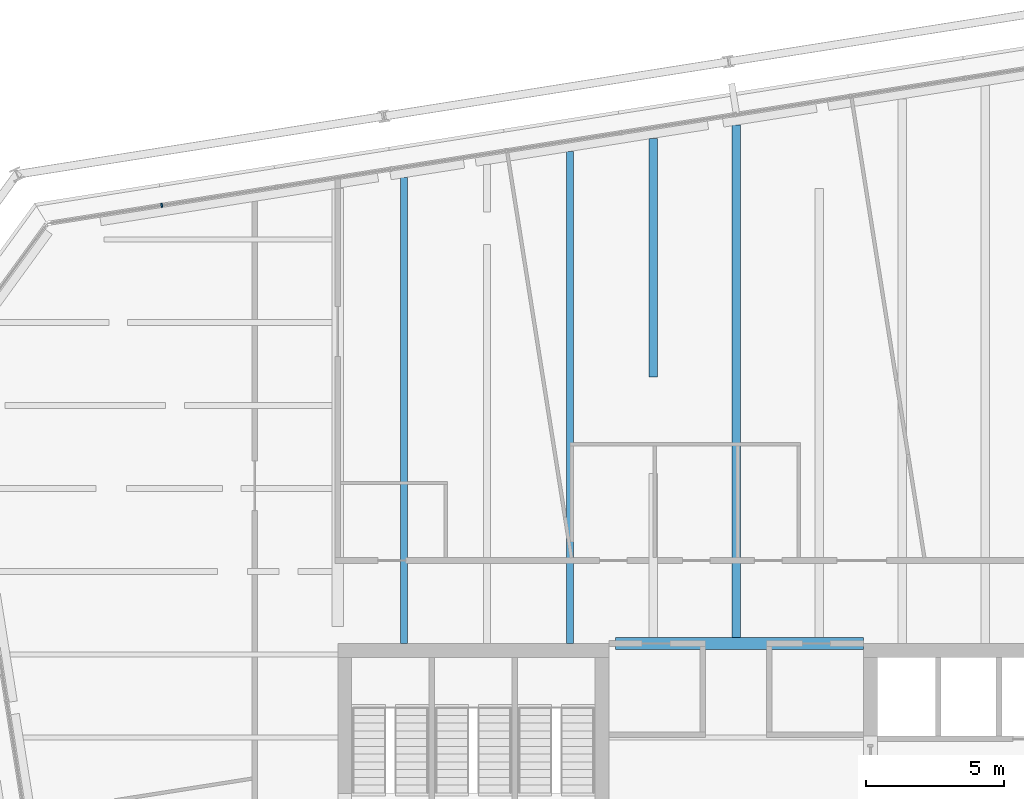
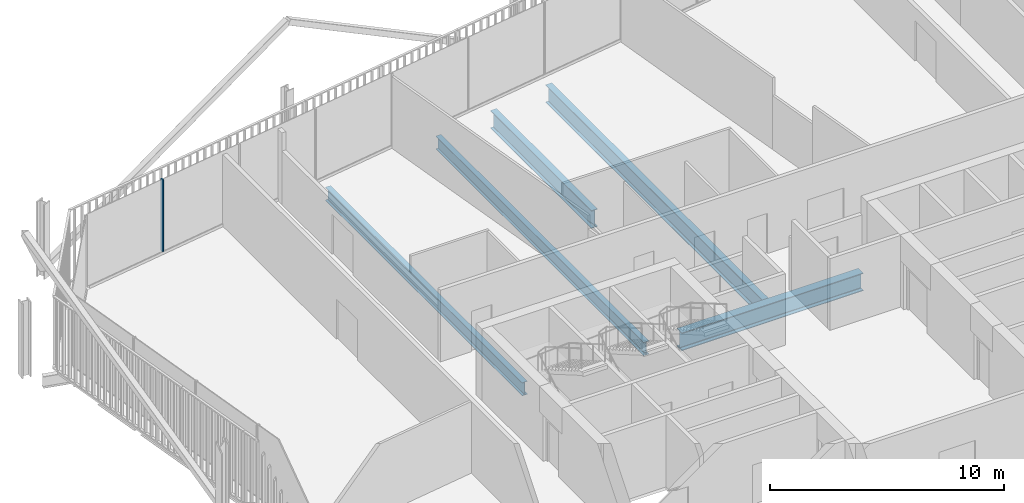
# One storey, part 11 of 20: 5 beams, 1 member, 1 element without a shape of its own.
"""IFC4 building model written with IfcOpenShell, lengths in metres."""

from ifc_helpers import new_model, si_unit, direction, frame, origin, origin_2d, place, context, subcontext, project, spatial, rectangle, i_section, extrude, material, layer, layer_set, material_profile, profile_set, type_object, element, aggregate, save


model = new_model("IFC4")

# Units and contexts
model_context = context("Model", 3, precision=1e-05, world=origin(), true_north=direction((0.0, 1.0)))
body_context = subcontext(model_context, "Body", "Model", "MODEL_VIEW")
ifc_project = project(units=[si_unit("LENGTHUNIT", "METRE"), si_unit("AREAUNIT", "SQUARE_METRE"), si_unit("VOLUMEUNIT", "CUBIC_METRE"), si_unit("PLANEANGLEUNIT", "RADIAN"), si_unit("MASSUNIT", "GRAM", prefix="KILO")], contexts=[model_context])

# Site, building, storey
site_placement = place(None, origin())
site = spatial("IfcSite", under=ifc_project, at=site_placement, CompositionType="ELEMENT")
building_placement = place(site_placement, origin())
building = spatial("IfcBuilding", under=site, at=building_placement, Name="Millrace Tower", CompositionType="ELEMENT")
storey_placement = place(building_placement, frame((0.0, 0.0, 204.699951171875)))
storey = spatial("IfcBuildingStorey", under=building, at=storey_placement, Name="L46", CompositionType="ELEMENT", Elevation=204.699951171875)

# Curtain wall, member
ifc_material_1 = material(Name="Aluminium and glass", Category="aluminium")
ifc_layer = layer(ifc_material_1, 0.14990234375)
ifc_layer_set = layer_set([ifc_layer], Name="Aluminium and glass")
curtain_wall_type = type_object("IfcCurtainWallType", Name="CW-1 office vision curtain wall", PredefinedType="NOTDEFINED", material=ifc_layer_set)
curtain_wall_placement = place(storey_placement, origin())
curtain_wall = element("IfcCurtainWall", 1, at=curtain_wall_placement, inside=storey, type_object=curtain_wall_type, Name="Curtain wall D-F06 L46", PredefinedType="NOTDEFINED")
ifc_material_2 = material(Name="Aluminium", Category="aluminium")
ifc_material_profile_1 = material_profile(ifc_material_2, rectangle(XDim=0.06494140625, YDim=0.14990234375, at=origin_2d()))
ifc_profile_set_1 = profile_set([ifc_material_profile_1], Name="Aluminium")
member_type = type_object("IfcMemberType", Name="CW-1 office vision curtain wall mullion", PredefinedType="MULLION", material=ifc_profile_set_1)
member_placement = place(storey_placement, frame((-20.7607421875, 25.236328125, 0.14013671875), z_axis=(0.0, 0.0, 1.0), x_axis=(-0.987688339511, -0.156434471884, 0.0)))
member = element("IfcMember", 2, at=member_placement, type_object=member_type, Name="CW1 mullion D-F06.9", PredefinedType="MULLION", context=body_context, shape_type="SweptSolid", body=[
    extrude(rectangle(XDim=0.06494140625, YDim=0.14990234375, at=origin_2d()), origin(), (0.0, 0.0, 1.0), 3.760009765625),
])
aggregate(curtain_wall, [member])

# Beams
ifc_material_3 = material(Name="Steel ASTM A992 Grade 50", Category="steel")
ifc_material_profile_2 = material_profile(ifc_material_3, i_section(OverallWidth=0.256591796875, OverallDepth=0.693359375, WebThickness=0.014404296875, FlangeThickness=0.023681640625, FilletRadius=0.01513671875, at=origin_2d()))
ifc_profile_set_2 = profile_set([ifc_material_profile_2], Name="Steel ASTM A992 Grade 50")
beam_type_1 = type_object("IfcBeamType", Name="Floor beam W27x114", PredefinedType="JOIST", material=ifc_profile_set_2)
beam_1_placement = place(storey_placement, frame((-12.0, 9.39990234375, -0.506591796875), z_axis=(0.0, 1.0, 0.0), x_axis=(-1.0, 0.0, 0.0)))
element("IfcBeam", 3, at=beam_1_placement, inside=storey, type_object=beam_type_1, Name="BM-D-L46-S1-S036", PredefinedType="JOIST", context=body_context, shape_type="SweptSolid", body=[
    extrude(i_section(OverallWidth=0.256591796875, OverallDepth=0.693359375, WebThickness=0.014404296875, FlangeThickness=0.023681640625, FilletRadius=0.01513671875, at=origin_2d()), origin(), (0.0, 0.0, 1.0), 16.8369140625),
])
beam_2_placement = place(storey_placement, frame((-6.0, 9.39990234375, -0.506591796875), z_axis=(0.0, 1.0, 0.0), x_axis=(-1.0, 0.0, 0.0)))
element("IfcBeam", 4, at=beam_2_placement, inside=storey, type_object=beam_type_1, Name="BM-D-L46-S1-S040", PredefinedType="JOIST", context=body_context, shape_type="SweptSolid", body=[
    extrude(i_section(OverallWidth=0.256591796875, OverallDepth=0.693359375, WebThickness=0.014404296875, FlangeThickness=0.023681640625, FilletRadius=0.01513671875, at=origin_2d()), origin(), (0.0, 0.0, 1.0), 17.787109375),
])
ifc_material_4 = material(Name="Steel ASTM A992 Grade 50", Category="steel")
ifc_material_profile_3 = material_profile(ifc_material_4, i_section(OverallWidth=0.307373046875, OverallDepth=0.927001953125, WebThickness=0.01953125, FlangeThickness=0.031982421875, FilletRadius=0.01904296875, at=origin_2d()))
ifc_profile_set_3 = profile_set([ifc_material_profile_3], Name="Steel ASTM A992 Grade 50")
beam_type_2 = type_object("IfcBeamType", Name="Floor beam W36x194", PredefinedType="JOIST", material=ifc_profile_set_3)
beam_3_placement = place(storey_placement, frame((0.0, 9.609619140625, -0.62353515625), z_axis=(0.0, 1.0, 0.0), x_axis=(-1.0, 0.0, 0.0)))
element("IfcBeam", 5, at=beam_3_placement, inside=storey, type_object=beam_type_2, Name="BM-D-L46-S1-S044", PredefinedType="JOIST", context=body_context, shape_type="SweptSolid", body=[
    extrude(i_section(OverallWidth=0.307373046875, OverallDepth=0.927001953125, WebThickness=0.01953125, FlangeThickness=0.031982421875, FilletRadius=0.01904296875, at=origin_2d()), origin(), (0.0, 0.0, 1.0), 18.53564453125),
])
beam_4_placement = place(storey_placement, frame((-3.0, 19.024169921875, -0.62353515625), z_axis=(0.0, 1.0, 0.0), x_axis=(-1.0, 0.0, 0.0)))
element("IfcBeam", 6, at=beam_4_placement, inside=storey, type_object=beam_type_2, Name="BM-D-L46-S1-S042-b", PredefinedType="JOIST", context=body_context, shape_type="SweptSolid", body=[
    extrude(i_section(OverallWidth=0.307373046875, OverallDepth=0.927001953125, WebThickness=0.01953125, FlangeThickness=0.031982421875, FilletRadius=0.01904296875, at=origin_2d()), origin(), (0.0, 0.0, 1.0), 8.637939453125),
])
ifc_material_5 = material(Name="Steel ASTM A992 Grade 50", Category="steel")
ifc_material_profile_4 = material_profile(ifc_material_5, i_section(OverallWidth=0.419189453125, OverallDepth=0.927001953125, WebThickness=0.019287109375, FlangeThickness=0.031982421875, FilletRadius=0.024169921875, at=origin_2d()))
ifc_profile_set_4 = profile_set([ifc_material_profile_4], Name="Steel ASTM A992 Grade 50")
beam_type_3 = type_object("IfcBeamType", Name="Girder short span W36x231", PredefinedType="BEAM", material=ifc_profile_set_4)
beam_5_placement = place(storey_placement, frame((-4.367431640625, 9.39990234375, -0.62353515625), z_axis=(1.0, 0.0, 0.0), x_axis=(0.0, 1.0, 0.0)))
element("IfcBeam", 7, at=beam_5_placement, inside=storey, type_object=beam_type_3, Name="BM-D-L46-S1-G058", PredefinedType="BEAM", context=body_context, shape_type="SweptSolid", body=[
    extrude(i_section(OverallWidth=0.419189453125, OverallDepth=0.927001953125, WebThickness=0.019287109375, FlangeThickness=0.031982421875, FilletRadius=0.024169921875, at=origin_2d()), origin(), (0.0, 0.0, 1.0), 8.967529296875),
])

save(model, "model.ifc")
